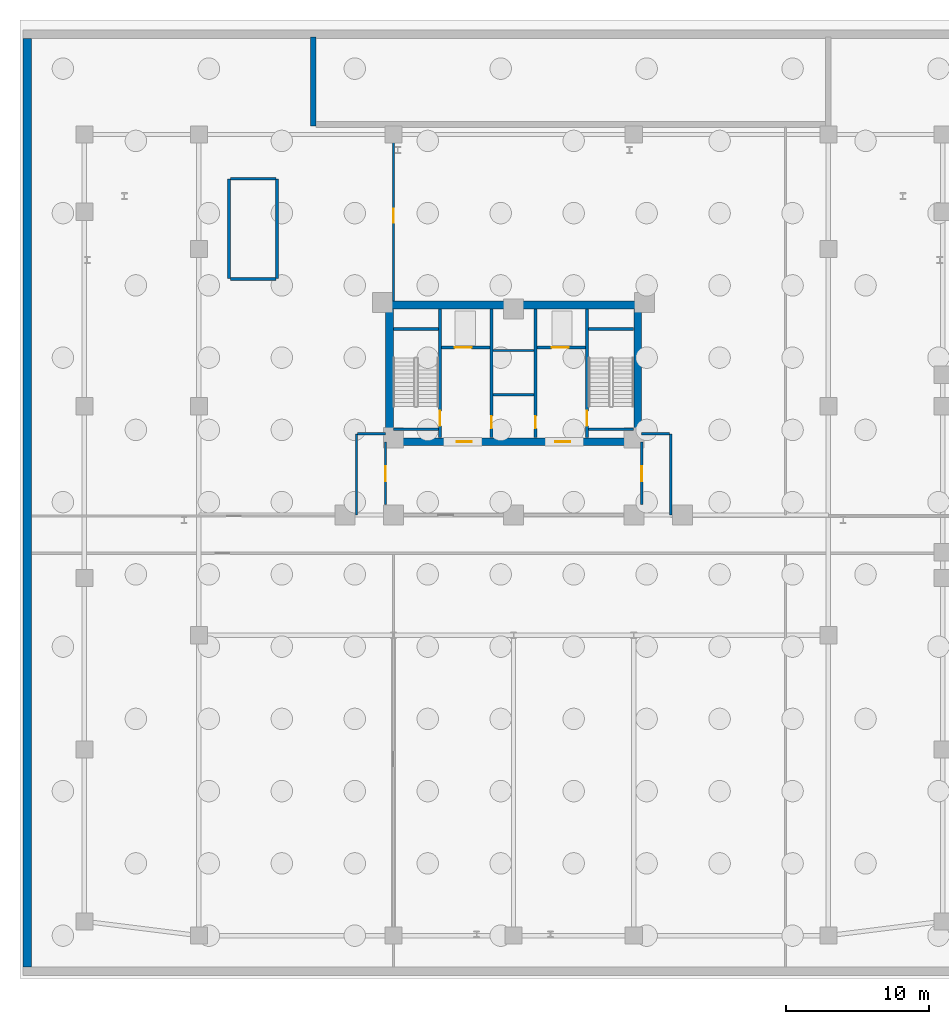
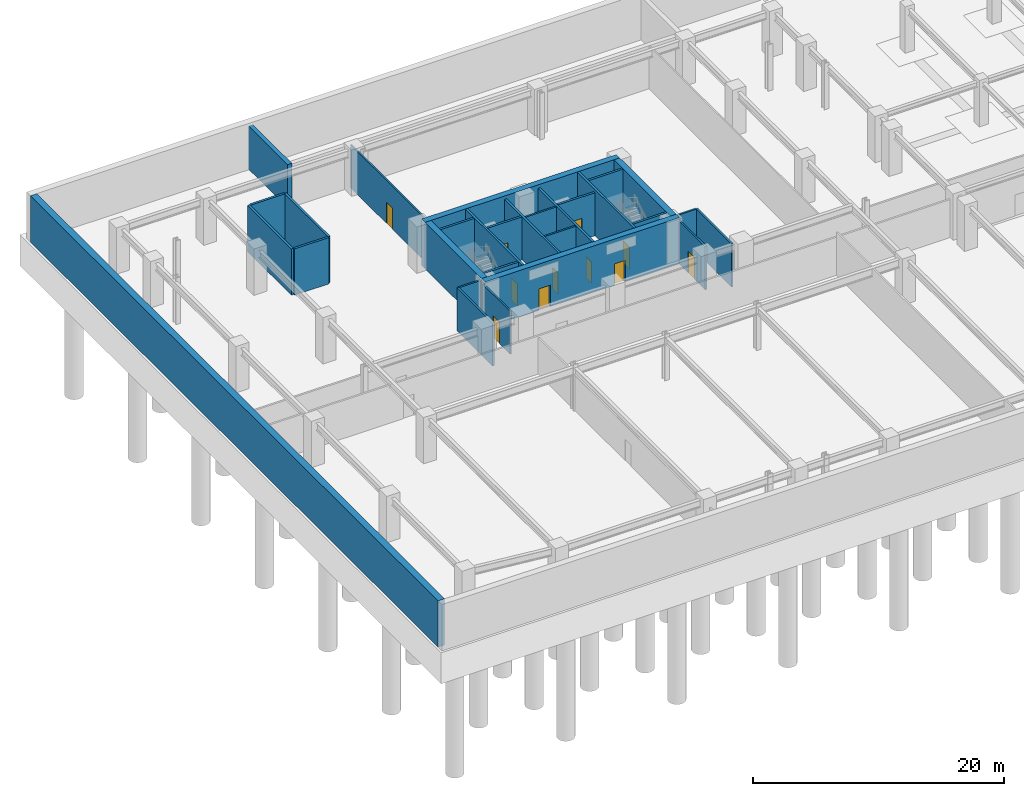
# One storey, part 9 of 15: 29 walls, 11 doors, 11 openings.
"""IFC4 building model written with IfcOpenShell, lengths in metres."""

from ifc_helpers import new_model, si_unit, derived_unit, direction, frame, frame_2d, origin, place, context, subcontext, project, spatial, rectangle, extrude, material, layer, layer_set, type_object, element, fill, save


model = new_model("IFC4")

# Units and contexts
model_context = context("Model", 3, precision=1e-05, world=origin(), true_north=direction((0.0, 1.0)))
body_context = subcontext(model_context, "Body", "Model", "MODEL_VIEW")
ifc_project = project(units=[si_unit("LENGTHUNIT", "METRE"), si_unit("AREAUNIT", "SQUARE_METRE"), si_unit("VOLUMEUNIT", "CUBIC_METRE"), si_unit("PLANEANGLEUNIT", "RADIAN"), si_unit("MASSUNIT", "GRAM", prefix="KILO"), derived_unit("THERMALTRANSMITTANCEUNIT", [(si_unit("POWERUNIT", "WATT"), 1), (si_unit("LENGTHUNIT", "METRE"), -2), (si_unit("THERMODYNAMICTEMPERATUREUNIT", "KELVIN"), -1)])], contexts=[model_context])

# Site, building, storey
site_placement = place(None, origin())
site = spatial("IfcSite", under=ifc_project, at=site_placement, CompositionType="ELEMENT")
building_placement = place(site_placement, origin())
building = spatial("IfcBuilding", under=site, at=building_placement, Name="Korsvarv Bourse and Concert Hall", CompositionType="ELEMENT")
storey_placement = place(building_placement, frame((0.0, 0.0, -9.0)))
storey = spatial("IfcBuildingStorey", under=building, at=storey_placement, Name="B02", CompositionType="ELEMENT", Elevation=-9.0)

# Walls
ifc_material_1 = material(Name="Concrete C50/60", Category="concrete")
ifc_layer_1 = layer(ifc_material_1, 0.3798828125)
ifc_layer_set_1 = layer_set([ifc_layer_1], Name="Concrete C50/60")
wall_type_1 = type_object("IfcWallType", Name="WL-CORE-380", PredefinedType="SHEAR", material=ifc_layer_set_1)
wall_1_placement = place(storey_placement, frame((16.10009765625, 48.919921875, 0.0), z_axis=(0.0, 0.0, 1.0), x_axis=(0.0, 1.0, 0.0)))
element("IfcWall", 1, at=wall_1_placement, inside=storey, type_object=wall_type_1, Name="B02 Podium Stair Substructure Wall W", PredefinedType="SHEAR", context=body_context, shape_type="SweptSolid", body=[
    extrude(rectangle(XDim=6.97998046875, YDim=0.199951171875, at=frame_2d((3.489990234375, 0.0))), origin(), (0.0, 0.0, 1.0), 4.5),
])
wall_2_placement = place(storey_placement, frame((16.219970703125, 55.89990234375, 0.0), z_axis=(0.0, 0.0, 1.0), x_axis=(1.0, 0.0, 0.0)))
element("IfcWall", 2, at=wall_2_placement, inside=storey, type_object=wall_type_1, Name="B02 Podium Stair Substructure Wall N", PredefinedType="SHEAR", context=body_context, shape_type="SweptSolid", body=[
    extrude(rectangle(XDim=3.159912109375, YDim=0.199951171875, at=frame_2d((1.580078125, 0.0))), origin(), (0.0, 0.0, 1.0), 4.5),
])
wall_3_placement = place(storey_placement, frame((19.4599609375, 48.919921875, 0.0), z_axis=(0.0, 0.0, 1.0), x_axis=(0.0, 1.0, 0.0)))
element("IfcWall", 3, at=wall_3_placement, inside=storey, type_object=wall_type_1, Name="B02 Podium Stair Substructure Wall E", PredefinedType="SHEAR", context=body_context, shape_type="SweptSolid", body=[
    extrude(rectangle(XDim=6.97998046875, YDim=0.199951171875, at=frame_2d((3.489990234375, 0.0))), origin(), (0.0, 0.0, 1.0), 4.5),
])
wall_4_placement = place(storey_placement, frame((16.219970703125, 48.89990234375, 0.0), z_axis=(0.0, 0.0, 1.0), x_axis=(1.0, 0.0, 0.0)))
element("IfcWall", 4, at=wall_4_placement, inside=storey, type_object=wall_type_1, Name="B02 Podium Stair Substructure Wall S", PredefinedType="SHEAR", context=body_context, shape_type="SweptSolid", body=[
    extrude(rectangle(XDim=3.159912109375, YDim=0.199951171875, at=frame_2d((1.580078125, 0.0))), origin(), (0.0, 0.0, 1.0), 4.5),
])

# Wall, opening, door
wall_5_placement = place(storey_placement, frame((30.860107421875, 37.81005859375, 0.0), z_axis=(0.0, 0.0, 1.0), x_axis=(0.0, 1.0, 0.0)))
wall_5 = element("IfcWall", 5, at=wall_5_placement, inside=storey, type_object=wall_type_1, Name="B02 stair shaft structural wall W-B02-ST1-E", PredefinedType="SHEAR", context=body_context, shape_type="SweptSolid", body=[
    extrude(rectangle(XDim=8.97998046875, YDim=0.199951171875, at=frame_2d((4.489990234375, 0.0))), origin(), (0.0, 0.0, 1.0), 4.5),
])
opening_1_placement = place(wall_5_placement, frame((0.820068359375, 0.0, 0.0)))
opening_1 = element("IfcOpeningElement", 6, at=opening_1_placement, cuts=wall_5, Name="Opening D-01", PredefinedType="OPENING", context=body_context, shape_type="SweptSolid", body=[
    extrude(rectangle(XDim=1.050048828125, YDim=2.10009765625, at=frame_2d((0.52490234375, 1.050048828125))), frame((0.0, 0.10986328125, 0.0), z_axis=(0.0, -1.0, 0.0), x_axis=(1.0, 0.0, 0.0)), (0.0, 0.0, 1.0), 0.219970703125),
])
ifc_material_2 = material(Name="Steel S355 fire door", Category="steel")
door_type_1 = type_object("IfcDoorType", Name="DR-FD60", OperationType="NOTDEFINED", PredefinedType="DOOR", material=ifc_material_2)
door_1_placement = place(opening_1_placement, origin())
door_1 = element("IfcDoor", 7, at=door_1_placement, inside=storey, type_object=door_type_1, Name="B02 interior door DR-B02-ST1", OperationType="SINGLE_SWING_LEFT", OverallHeight=2.10009765625, OverallWidth=1.050048828125, PredefinedType="DOOR", context=body_context, shape_type="SweptSolid", body=[
    extrude(rectangle(XDim=1.050048828125, YDim=2.10009765625, at=frame_2d((0.52490234375, 1.050048828125))), frame((0.0, 0.02490234375, 0.0), z_axis=(0.0, -1.0, 0.0), x_axis=(1.0, 0.0, 0.0)), (0.0, 0.0, 1.0), 0.050048828125),
])
fill(opening_1, door_1)

# Walls
for number, where, z_axis, x_axis, name in (
    (8, (27.610107421875, 45.39990234375, 0.0), (0.0, 0.0, 1.0), (1.0, 0.0, 0.0), "B02 stair shaft structural wall W-B02-ST1-N"),
    (9, (27.610107421875, 38.39990234375, 0.0), (0.0, 0.0, 1.0), (1.0, 0.0, 0.0), "B02 stair shaft structural wall W-B02-ST1-S"),
):
    element("IfcWall", number, at=place(storey_placement, frame(where, z_axis=z_axis, x_axis=x_axis)), inside=storey, type_object=wall_type_1, Name=name, PredefinedType="SHEAR", context=body_context, shape_type="SweptSolid", body=[
        extrude(rectangle(XDim=3.139892578125, YDim=0.199951171875, at=frame_2d((1.56982421875, 0.0))), origin(), (0.0, 0.0, 1.0), 4.5),
    ])

# Wall, opening, door
wall_6_placement = place(storey_placement, frame((41.139892578125, 37.81005859375, 0.0), z_axis=(0.0, 0.0, 1.0), x_axis=(0.0, 1.0, 0.0)))
wall_6 = element("IfcWall", 10, at=wall_6_placement, inside=storey, type_object=wall_type_1, Name="B02 stair shaft structural wall W-B02-ST2-W", PredefinedType="SHEAR", context=body_context, shape_type="SweptSolid", body=[
    extrude(rectangle(XDim=8.97998046875, YDim=0.199951171875, at=frame_2d((4.489990234375, 0.0))), origin(), (0.0, 0.0, 1.0), 4.5),
])
opening_2_placement = place(wall_6_placement, frame((0.820068359375, 0.0, 0.0)))
opening_2 = element("IfcOpeningElement", 11, at=opening_2_placement, cuts=wall_6, Name="Opening D-01", PredefinedType="OPENING", context=body_context, shape_type="SweptSolid", body=[
    extrude(rectangle(XDim=1.050048828125, YDim=2.10009765625, at=frame_2d((0.52490234375, 1.050048828125))), frame((0.0, 0.10986328125, 0.0), z_axis=(0.0, -1.0, 0.0), x_axis=(1.0, 0.0, 0.0)), (0.0, 0.0, 1.0), 0.219970703125),
])
door_2_placement = place(opening_2_placement, frame((1.050048828125, 0.0, 0.0), z_axis=(0.0, 0.0, 1.0), x_axis=(-1.0, 0.0, 0.0)))
door_2 = element("IfcDoor", 12, at=door_2_placement, inside=storey, type_object=door_type_1, Name="B02 interior door DR-B02-ST2", OperationType="SINGLE_SWING_RIGHT", OverallHeight=2.10009765625, OverallWidth=1.050048828125, PredefinedType="DOOR", context=body_context, shape_type="SweptSolid", body=[
    extrude(rectangle(XDim=1.050048828125, YDim=2.10009765625, at=frame_2d((0.52490234375, 1.050048828125))), frame((0.0, 0.02490234375, 0.0), z_axis=(0.0, -1.0, 0.0), x_axis=(1.0, 0.0, 0.0)), (0.0, 0.0, 1.0), 0.050048828125),
])
fill(opening_2, door_2)

# Walls
for number, where, z_axis, x_axis, name in (
    (13, (41.25, 45.39990234375, 0.0), (0.0, 0.0, 1.0), (1.0, 0.0, 0.0), "B02 stair shaft structural wall W-B02-ST2-N"),
    (14, (41.25, 38.39990234375, 0.0), (0.0, 0.0, 1.0), (1.0, 0.0, 0.0), "B02 stair shaft structural wall W-B02-ST2-S"),
):
    element("IfcWall", number, at=place(storey_placement, frame(where, z_axis=z_axis, x_axis=x_axis)), inside=storey, type_object=wall_type_1, Name=name, PredefinedType="SHEAR", context=body_context, shape_type="SweptSolid", body=[
        extrude(rectangle(XDim=3.139892578125, YDim=0.199951171875, at=frame_2d((1.56982421875, 0.0))), origin(), (0.0, 0.0, 1.0), 4.5),
    ])
ifc_material_3 = material(Name="Concrete C60/75", Category="concrete")
ifc_layer_2 = layer(ifc_material_3, 0.550048828125)
ifc_layer_set_2 = layer_set([ifc_layer_2], Name="Concrete C60/75")
wall_type_2 = type_object("IfcWallType", Name="WL-CORE-550", PredefinedType="SHEAR", material=ifc_layer_set_2)
wall_7_placement = place(storey_placement, frame((27.050048828125, 47.074951171875, 0.0), z_axis=(0.0, 0.0, 1.0), x_axis=(1.0, 0.0, 0.0)))
element("IfcWall", 15, at=wall_7_placement, inside=storey, type_object=wall_type_2, Name="B02 North Core Shear Wall", PredefinedType="SHEAR", context=body_context, shape_type="SweptSolid", body=[
    extrude(rectangle(XDim=17.89990234375, YDim=0.550048828125, at=frame_2d((8.949951171875, 0.0))), origin(), (0.0, 0.0, 1.0), 4.5),
])

# Wall, openings, doors
wall_8_placement = place(storey_placement, frame((27.050048828125, 37.52490234375, 0.0), z_axis=(0.0, 0.0, 1.0), x_axis=(1.0, 0.0, 0.0)))
wall_8 = element("IfcWall", 16, at=wall_8_placement, inside=storey, type_object=wall_type_2, Name="B02 South Core Shear Wall", PredefinedType="SHEAR", context=body_context, shape_type="SweptSolid", body=[
    extrude(rectangle(XDim=17.89990234375, YDim=0.550048828125, at=frame_2d((8.949951171875, 0.0))), origin(), (0.0, 0.0, 1.0), 4.5),
])
opening_3_placement = place(wall_8_placement, frame((4.97509765625, 0.0, 0.0)))
opening_3 = element("IfcOpeningElement", 17, at=opening_3_placement, cuts=wall_8, Name="Opening D-01", PredefinedType="OPENING", context=body_context, shape_type="SweptSolid", body=[
    extrude(rectangle(XDim=1.050048828125, YDim=2.10009765625, at=frame_2d((0.52490234375, 1.050048828125))), frame((0.0, 0.28515625, 0.0), z_axis=(0.0, -1.0, 0.0), x_axis=(1.0, 0.0, 0.0)), (0.0, 0.0, 1.0), 0.570068359375),
])
opening_4_placement = place(wall_8_placement, frame((11.875, 0.0, 0.0)))
opening_4 = element("IfcOpeningElement", 18, at=opening_4_placement, cuts=wall_8, Name="Opening D-01", PredefinedType="OPENING", context=body_context, shape_type="SweptSolid", body=[
    extrude(rectangle(XDim=1.050048828125, YDim=2.10009765625, at=frame_2d((0.52490234375, 1.050048828125))), frame((0.0, 0.28515625, 0.0), z_axis=(0.0, -1.0, 0.0), x_axis=(1.0, 0.0, 0.0)), (0.0, 0.0, 1.0), 0.570068359375),
])
door_3_placement = place(opening_3_placement, frame((1.050048828125, 0.0, 0.0), z_axis=(0.0, 0.0, 1.0), x_axis=(-1.0, 0.0, 0.0)))
door_3 = element("IfcDoor", 19, at=door_3_placement, inside=storey, type_object=door_type_1, Name="B02 firefighting lobby fire door DR-B02-FFLW", OperationType="SINGLE_SWING_LEFT", OverallHeight=2.10009765625, OverallWidth=1.050048828125, PredefinedType="DOOR", context=body_context, shape_type="SweptSolid", body=[
    extrude(rectangle(XDim=1.050048828125, YDim=2.10009765625, at=frame_2d((0.52490234375, 1.050048828125))), frame((0.0, 0.02490234375, 0.0), z_axis=(0.0, -1.0, 0.0), x_axis=(1.0, 0.0, 0.0)), (0.0, 0.0, 1.0), 0.050048828125),
])
fill(opening_3, door_3)
door_4_placement = place(opening_4_placement, frame((1.050048828125, 0.0, 0.0), z_axis=(0.0, 0.0, 1.0), x_axis=(-1.0, 0.0, 0.0)))
door_4 = element("IfcDoor", 20, at=door_4_placement, inside=storey, type_object=door_type_1, Name="B02 firefighting lobby fire door DR-B02-FFLE", OperationType="SINGLE_SWING_RIGHT", OverallHeight=2.10009765625, OverallWidth=1.050048828125, PredefinedType="DOOR", context=body_context, shape_type="SweptSolid", body=[
    extrude(rectangle(XDim=1.050048828125, YDim=2.10009765625, at=frame_2d((0.52490234375, 1.050048828125))), frame((0.0, 0.02490234375, 0.0), z_axis=(0.0, -1.0, 0.0), x_axis=(1.0, 0.0, 0.0)), (0.0, 0.0, 1.0), 0.050048828125),
])
fill(opening_4, door_4)

# Walls
for number, where, z_axis, x_axis, name in (
    (21, (27.324951171875, 37.800048828125, 0.0), (0.0, 0.0, 1.0), (0.0, 1.0, 0.0), "B02 West Core Shear Wall"),
    (22, (44.675048828125, 37.800048828125, 0.0), (0.0, 0.0, 1.0), (0.0, 1.0, 0.0), "B02 East Core Shear Wall"),
):
    element("IfcWall", number, at=place(storey_placement, frame(where, z_axis=z_axis, x_axis=x_axis)), inside=storey, type_object=wall_type_2, Name=name, PredefinedType="SHEAR", context=body_context, shape_type="SweptSolid", body=[
        extrude(rectangle(XDim=9.0, YDim=0.550048828125, at=frame_2d((4.5, 0.0))), origin(), (0.0, 0.0, 1.0), 4.5),
    ])
ifc_layer_3 = layer(ifc_material_1, 0.39990234375)
ifc_layer_set_3 = layer_set([ifc_layer_3], Name="Concrete C50/60")
wall_type_3 = type_object("IfcWallType", Name="WL-DRM-400", PredefinedType="SOLIDWALL", material=ifc_layer_set_3)
wall_9_placement = place(storey_placement, frame((22.0, 59.60009765625, 0.0), z_axis=(0.0, 0.0, 1.0), x_axis=(0.0, 1.0, 0.0)))
element("IfcWall", 23, at=wall_9_placement, inside=storey, type_object=wall_type_3, Name="B02 Vehicle Ramp Foot Bearing Wall", PredefinedType="SOLIDWALL", context=body_context, shape_type="SweptSolid", body=[
    extrude(rectangle(XDim=6.199951171875, YDim=0.39990234375, at=frame_2d((3.10009765625, 0.0))), origin(), (0.0, 0.0, 1.0), 4.179931640625),
])

# Wall, opening, door
ifc_material_4 = material(Name="Reinforced concrete blockwork C35/45 fire wall", Category="concrete")
ifc_layer_4 = layer(ifc_material_4, 0.199951171875)
ifc_layer_set_4 = layer_set([ifc_layer_4], Name="Reinforced concrete blockwork C35/45 fire wall")
wall_type_4 = type_object("IfcWallType", Name="WL-INT-EI120", PredefinedType="PARTITIONING", material=ifc_layer_set_4)
wall_10_placement = place(storey_placement, frame((30.969970703125, 44.10009765625, 0.0), z_axis=(0.0, 0.0, 1.0), x_axis=(1.0, 0.0, 0.0)))
wall_10 = element("IfcWall", 24, at=wall_10_placement, inside=storey, type_object=wall_type_4, Name="B02 interior partition wall W-B02-FF1-S", PredefinedType="PARTITIONING", context=body_context, shape_type="SweptSolid", body=[
    extrude(rectangle(XDim=3.380126953125, YDim=0.199951171875, at=frame_2d((1.68994140625, 0.0))), origin(), (0.0, 0.0, 1.0), 4.179931640625),
])
opening_5_placement = place(wall_10_placement, frame((0.89990234375, 0.0, 0.0)))
opening_5 = element("IfcOpeningElement", 25, at=opening_5_placement, cuts=wall_10, Name="Opening LD-1", PredefinedType="OPENING", context=body_context, shape_type="SweptSolid", body=[
    extrude(rectangle(XDim=1.199951171875, YDim=2.10009765625, at=frame_2d((0.60009765625, 1.050048828125))), frame((0.0, 0.10986328125, 0.0), z_axis=(0.0, -1.0, 0.0), x_axis=(1.0, 0.0, 0.0)), (0.0, 0.0, 1.0), 0.219970703125),
])
ifc_material_5 = material(Name="Stainless Steel S355 firefighting lift landing door", Category="steel")
door_type_2 = type_object("IfcDoorType", Name="DR-LIFT-FF", OperationType="DOUBLE_DOOR_SLIDING", PredefinedType="DOOR", material=ifc_material_5)
door_5_placement = place(opening_5_placement, origin())
door_5 = element("IfcDoor", 26, at=door_5_placement, inside=storey, type_object=door_type_2, Name="B02 lift sliding landing door LD-B02-FF1", OperationType="DOUBLE_DOOR_SLIDING", OverallHeight=2.10009765625, OverallWidth=1.199951171875, PredefinedType="DOOR", context=body_context, shape_type="SweptSolid", body=[
    extrude(rectangle(XDim=1.199951171875, YDim=2.10009765625, at=frame_2d((0.60009765625, 1.050048828125))), frame((0.0, 0.02490234375, 0.0), z_axis=(0.0, -1.0, 0.0), x_axis=(1.0, 0.0, 0.0)), (0.0, 0.0, 1.0), 0.050048828125),
])
fill(opening_5, door_5)

wall_11_placement = place(storey_placement, frame((37.64990234375, 44.10009765625, 0.0), z_axis=(0.0, 0.0, 1.0), x_axis=(1.0, 0.0, 0.0)))
wall_11 = element("IfcWall", 27, at=wall_11_placement, inside=storey, type_object=wall_type_4, Name="B02 interior partition wall W-B02-FF2-S", PredefinedType="PARTITIONING", context=body_context, shape_type="SweptSolid", body=[
    extrude(rectangle(XDim=3.380126953125, YDim=0.199951171875, at=frame_2d((1.68994140625, 0.0))), origin(), (0.0, 0.0, 1.0), 4.179931640625),
])
opening_6_placement = place(wall_11_placement, frame((1.0, 0.0, 0.0)))
opening_6 = element("IfcOpeningElement", 28, at=opening_6_placement, cuts=wall_11, Name="Opening LD-1", PredefinedType="OPENING", context=body_context, shape_type="SweptSolid", body=[
    extrude(rectangle(XDim=1.199951171875, YDim=2.10009765625, at=frame_2d((0.60009765625, 1.050048828125))), frame((0.0, 0.10986328125, 0.0), z_axis=(0.0, -1.0, 0.0), x_axis=(1.0, 0.0, 0.0)), (0.0, 0.0, 1.0), 0.219970703125),
])
door_6_placement = place(opening_6_placement, origin())
door_6 = element("IfcDoor", 29, at=door_6_placement, inside=storey, type_object=door_type_2, Name="B02 lift sliding landing door LD-B02-FF2", OperationType="DOUBLE_DOOR_SLIDING", OverallHeight=2.10009765625, OverallWidth=1.199951171875, PredefinedType="DOOR", context=body_context, shape_type="SweptSolid", body=[
    extrude(rectangle(XDim=1.199951171875, YDim=2.10009765625, at=frame_2d((0.60009765625, 1.050048828125))), frame((0.0, 0.02490234375, 0.0), z_axis=(0.0, -1.0, 0.0), x_axis=(1.0, 0.0, 0.0)), (0.0, 0.0, 1.0), 0.050048828125),
])
fill(opening_6, door_6)

wall_12_placement = place(storey_placement, frame((34.4599609375, 37.81005859375, 0.0), z_axis=(0.0, 0.0, 1.0), x_axis=(0.0, 1.0, 0.0)))
wall_12 = element("IfcWall", 30, at=wall_12_placement, inside=storey, type_object=wall_type_4, Name="B02 interior partition wall W-B02-CSB-W", PredefinedType="PARTITIONING", context=body_context, shape_type="SweptSolid", body=[
    extrude(rectangle(XDim=8.97998046875, YDim=0.199951171875, at=frame_2d((4.489990234375, 0.0))), origin(), (0.0, 0.0, 1.0), 4.179931640625),
])
opening_7_placement = place(wall_12_placement, frame((0.64990234375, 0.0, 0.0)))
opening_7 = element("IfcOpeningElement", 31, at=opening_7_placement, cuts=wall_12, Name="Opening D-05", PredefinedType="OPENING", context=body_context, shape_type="SweptSolid", body=[
    extrude(rectangle(XDim=0.85009765625, YDim=2.050048828125, at=frame_2d((0.425048828125, 1.02490234375))), frame((0.0, 0.10986328125, 0.0), z_axis=(0.0, -1.0, 0.0), x_axis=(1.0, 0.0, 0.0)), (0.0, 0.0, 1.0), 0.219970703125),
])
door_type_3 = type_object("IfcDoorType", Name="DR-FD60-850X2050", OperationType="NOTDEFINED", PredefinedType="DOOR", material=ifc_material_2)
door_7_placement = place(opening_7_placement, frame((0.85009765625, 0.0, 0.0), z_axis=(0.0, 0.0, 1.0), x_axis=(-1.0, 0.0, 0.0)))
door_7 = element("IfcDoor", 32, at=door_7_placement, inside=storey, type_object=door_type_3, Name="B02 interior door DR-B02-CSB1", OperationType="SINGLE_SWING_LEFT", OverallHeight=2.050048828125, OverallWidth=0.85009765625, PredefinedType="DOOR", context=body_context, shape_type="SweptSolid", body=[
    extrude(rectangle(XDim=0.85009765625, YDim=2.050048828125, at=frame_2d((0.425048828125, 1.02490234375))), frame((0.0, 0.02490234375, 0.0), z_axis=(0.0, -1.0, 0.0), x_axis=(1.0, 0.0, 0.0)), (0.0, 0.0, 1.0), 0.050048828125),
])
fill(opening_7, door_7)

wall_13_placement = place(storey_placement, frame((37.5400390625, 37.81005859375, 0.0), z_axis=(0.0, 0.0, 1.0), x_axis=(0.0, 1.0, 0.0)))
wall_13 = element("IfcWall", 33, at=wall_13_placement, inside=storey, type_object=wall_type_4, Name="B02 interior partition wall W-B02-CSB-E", PredefinedType="PARTITIONING", context=body_context, shape_type="SweptSolid", body=[
    extrude(rectangle(XDim=8.97998046875, YDim=0.199951171875, at=frame_2d((4.489990234375, 0.0))), origin(), (0.0, 0.0, 1.0), 4.179931640625),
])
opening_8_placement = place(wall_13_placement, frame((0.64990234375, 0.0, 0.0)))
opening_8 = element("IfcOpeningElement", 34, at=opening_8_placement, cuts=wall_13, Name="Opening D-05", PredefinedType="OPENING", context=body_context, shape_type="SweptSolid", body=[
    extrude(rectangle(XDim=0.85009765625, YDim=2.050048828125, at=frame_2d((0.425048828125, 1.02490234375))), frame((0.0, 0.10986328125, 0.0), z_axis=(0.0, -1.0, 0.0), x_axis=(1.0, 0.0, 0.0)), (0.0, 0.0, 1.0), 0.219970703125),
])
door_8_placement = place(opening_8_placement, origin())
door_8 = element("IfcDoor", 35, at=door_8_placement, inside=storey, type_object=door_type_3, Name="B02 interior door DR-B02-CSB2", OperationType="SINGLE_SWING_RIGHT", OverallHeight=2.050048828125, OverallWidth=0.85009765625, PredefinedType="DOOR", context=body_context, shape_type="SweptSolid", body=[
    extrude(rectangle(XDim=0.85009765625, YDim=2.050048828125, at=frame_2d((0.425048828125, 1.02490234375))), frame((0.0, 0.02490234375, 0.0), z_axis=(0.0, -1.0, 0.0), x_axis=(1.0, 0.0, 0.0)), (0.0, 0.0, 1.0), 0.050048828125),
])
fill(opening_8, door_8)

# Walls
ifc_material_6 = material(Name="Double-stud fire-rated acoustic partition", Category="gypsum")
ifc_layer_5 = layer(ifc_material_6, 0.159912109375)
ifc_layer_set_5 = layer_set([ifc_layer_5], Name="Double-stud fire-rated acoustic partition")
wall_type_5 = type_object("IfcWallType", Name="WL-INT-EI60", PredefinedType="PARTITIONING", material=ifc_layer_set_5)
for number, where, z_axis, x_axis, name in (
    (36, (34.570068359375, 40.800048828125, 0.0), (0.0, 0.0, 1.0), (1.0, 0.0, 0.0), "B02 interior partition wall W-B02-K1"),
    (37, (34.570068359375, 43.89990234375, 0.0), (0.0, 0.0, 1.0), (1.0, 0.0, 0.0), "B02 interior partition wall W-B02-K2"),
):
    element("IfcWall", number, at=place(storey_placement, frame(where, z_axis=z_axis, x_axis=x_axis)), inside=storey, type_object=wall_type_5, Name=name, PredefinedType="PARTITIONING", context=body_context, shape_type="SweptSolid", body=[
        extrude(rectangle(XDim=2.85986328125, YDim=0.159912109375, at=frame_2d((1.429931640625, 0.0))), origin(), (0.0, 0.0, 1.0), 4.179931640625),
    ])

# Wall, opening, door
wall_14_placement = place(storey_placement, frame((27.0400390625, 33.1201171875, 0.0), z_axis=(0.0, 0.0, 1.0), x_axis=(0.0, 1.0, 0.0)))
wall_14 = element("IfcWall", 38, at=wall_14_placement, inside=storey, type_object=wall_type_5, Name="B02 interior partition wall W-B02-CB-W", PredefinedType="PARTITIONING", context=body_context, shape_type="SweptSolid", body=[
    extrude(rectangle(XDim=4.3798828125, YDim=0.159912109375, at=frame_2d((2.18994140625, 0.0))), origin(), (0.0, 0.0, 1.0), 4.179931640625),
])
opening_9_placement = place(wall_14_placement, frame((1.64990234375, 0.0, 0.0)))
opening_9 = element("IfcOpeningElement", 39, at=opening_9_placement, cuts=wall_14, Name="Opening D-01", PredefinedType="OPENING", context=body_context, shape_type="SweptSolid", body=[
    extrude(rectangle(XDim=1.050048828125, YDim=2.10009765625, at=frame_2d((0.52490234375, 1.050048828125))), frame((0.0, 0.08984375, 0.0), z_axis=(0.0, -1.0, 0.0), x_axis=(1.0, 0.0, 0.0)), (0.0, 0.0, 1.0), 0.179931640625),
])
door_9_placement = place(opening_9_placement, frame((1.050048828125, 0.0, 0.0), z_axis=(0.0, 0.0, 1.0), x_axis=(-1.0, 0.0, 0.0)))
door_9 = element("IfcDoor", 40, at=door_9_placement, inside=storey, type_object=door_type_1, Name="B02 interior door DR-B02-CLOB-W", OperationType="SINGLE_SWING_RIGHT", OverallHeight=2.10009765625, OverallWidth=1.050048828125, PredefinedType="DOOR", context=body_context, shape_type="SweptSolid", body=[
    extrude(rectangle(XDim=1.050048828125, YDim=2.10009765625, at=frame_2d((0.52490234375, 1.050048828125))), frame((0.0, 0.02490234375, 0.0), z_axis=(0.0, -1.0, 0.0), x_axis=(1.0, 0.0, 0.0)), (0.0, 0.0, 1.0), 0.050048828125),
])
fill(opening_9, door_9)

wall_15_placement = place(storey_placement, frame((44.9599609375, 33.1201171875, 0.0), z_axis=(0.0, 0.0, 1.0), x_axis=(0.0, 1.0, 0.0)))
wall_15 = element("IfcWall", 41, at=wall_15_placement, inside=storey, type_object=wall_type_5, Name="B02 interior partition wall W-B02-CB-E", PredefinedType="PARTITIONING", context=body_context, shape_type="SweptSolid", body=[
    extrude(rectangle(XDim=4.3798828125, YDim=0.159912109375, at=frame_2d((2.18994140625, 0.0))), origin(), (0.0, 0.0, 1.0), 4.179931640625),
])
opening_10_placement = place(wall_15_placement, frame((1.64990234375, 0.0, 0.0)))
opening_10 = element("IfcOpeningElement", 42, at=opening_10_placement, cuts=wall_15, Name="Opening D-01", PredefinedType="OPENING", context=body_context, shape_type="SweptSolid", body=[
    extrude(rectangle(XDim=1.050048828125, YDim=2.10009765625, at=frame_2d((0.52490234375, 1.050048828125))), frame((0.0, 0.08984375, 0.0), z_axis=(0.0, -1.0, 0.0), x_axis=(1.0, 0.0, 0.0)), (0.0, 0.0, 1.0), 0.179931640625),
])
door_10_placement = place(opening_10_placement, origin())
door_10 = element("IfcDoor", 43, at=door_10_placement, inside=storey, type_object=door_type_1, Name="B02 interior door DR-B02-CLOB-E", OperationType="SINGLE_SWING_LEFT", OverallHeight=2.10009765625, OverallWidth=1.050048828125, PredefinedType="DOOR", context=body_context, shape_type="SweptSolid", body=[
    extrude(rectangle(XDim=1.050048828125, YDim=2.10009765625, at=frame_2d((0.52490234375, 1.050048828125))), frame((0.0, 0.02490234375, 0.0), z_axis=(0.0, -1.0, 0.0), x_axis=(1.0, 0.0, 0.0)), (0.0, 0.0, 1.0), 0.050048828125),
])
fill(opening_10, door_10)

# Walls
for number, where, z_axis, x_axis, name in (
    (44, (25.02490234375, 32.406982421875, 0.0), (0.0, 0.0, 1.0), (0.0, 1.0, 0.0), "B02 interior partition wall W-B02-BCOR-04"),
    (45, (46.97509765625, 32.406982421875, 0.0), (0.0, 0.0, 1.0), (0.0, 1.0, 0.0), "B02 interior partition wall W-B02-BCOR-05"),
):
    element("IfcWall", number, at=place(storey_placement, frame(where, z_axis=z_axis, x_axis=x_axis)), inside=storey, type_object=wall_type_5, Name=name, PredefinedType="PARTITIONING", context=body_context, shape_type="SweptSolid", body=[
        extrude(rectangle(XDim=5.673095703125, YDim=0.159912109375, at=frame_2d((2.83642578125, 0.0))), origin(), (0.0, 0.0, 1.0), 4.179931640625),
    ])
for number, where, z_axis, x_axis, name in (
    (46, (25.10693359375, 38.074951171875, 0.0), (0.0, 0.0, 1.0), (1.0, 0.0, 0.0), "B02 interior partition wall W-B02-BCOR-06"),
    (47, (44.951904296875, 38.074951171875, 0.0), (0.0, 0.0, 1.0), (1.0, 0.0, 0.0), "B02 interior partition wall W-B02-BCOR-07"),
):
    element("IfcWall", number, at=place(storey_placement, frame(where, z_axis=z_axis, x_axis=x_axis)), inside=storey, type_object=wall_type_5, Name=name, PredefinedType="PARTITIONING", context=body_context, shape_type="SweptSolid", body=[
        extrude(rectangle(XDim=1.941162109375, YDim=0.159912109375, at=frame_2d((0.970703125, 0.0))), origin(), (0.0, 0.0, 1.0), 4.179931640625),
    ])

# Wall, opening, door
ifc_material_7 = material(Name="Insulated steel-stud office acoustic partition", Category="gypsum")
ifc_layer_6 = layer(ifc_material_7, 0.139892578125)
ifc_layer_set_6 = layer_set([ifc_layer_6], Name="Insulated steel-stud office acoustic partition")
wall_type_6 = type_object("IfcWallType", Name="WL-INT-P1", PredefinedType="PARTITIONING", material=ifc_layer_set_6)
wall_16_placement = place(storey_placement, frame((27.60498046875, 47.35205078125, 0.0), z_axis=(0.0, 0.0, 1.0), x_axis=(0.0, 1.0, 0.0)))
wall_16 = element("IfcWall", 48, at=wall_16_placement, inside=storey, type_object=wall_type_6, Name="B02 interior partition wall W-B02-BCOR-11", PredefinedType="PARTITIONING", context=body_context, shape_type="SweptSolid", body=[
    extrude(rectangle(XDim=12.14599609375, YDim=0.139892578125, at=frame_2d((6.072998046875, 0.0))), origin(), (0.0, 0.0, 1.0), 4.179931640625),
])
opening_11_placement = place(wall_16_placement, frame((5.490234375, 0.0, 0.0)))
opening_11 = element("IfcOpeningElement", 49, at=opening_11_placement, cuts=wall_16, Name="Opening D-03", PredefinedType="OPENING", context=body_context, shape_type="SweptSolid", body=[
    extrude(rectangle(XDim=0.949951171875, YDim=2.050048828125, at=frame_2d((0.47509765625, 1.02490234375))), frame((0.0, 0.080078125, 0.0), z_axis=(0.0, -1.0, 0.0), x_axis=(1.0, 0.0, 0.0)), (0.0, 0.0, 1.0), 0.159912109375),
])
ifc_material_8 = material(Name="Nordic oak acoustic office door", Category="wood")
door_type_4 = type_object("IfcDoorType", Name="DR-INT-1", OperationType="NOTDEFINED", PredefinedType="DOOR", material=ifc_material_8)
door_11_placement = place(opening_11_placement, origin())
door_11 = element("IfcDoor", 50, at=door_11_placement, inside=storey, type_object=door_type_4, Name="B02 interior door DR-B02-BCOR-VLT12", OperationType="SINGLE_SWING_RIGHT", OverallHeight=2.050048828125, OverallWidth=0.949951171875, PredefinedType="DOOR", context=body_context, shape_type="SweptSolid", body=[
    extrude(rectangle(XDim=0.949951171875, YDim=2.050048828125, at=frame_2d((0.47509765625, 1.02490234375))), frame((0.0, 0.02490234375, 0.0), z_axis=(0.0, -1.0, 0.0), x_axis=(1.0, 0.0, 0.0)), (0.0, 0.0, 1.0), 0.050048828125),
])
fill(opening_11, door_11)

# Wall
ifc_layer_7 = layer(ifc_material_1, 0.60009765625)
ifc_layer_set_7 = layer_set([ifc_layer_7], Name="Concrete C50/60")
wall_type_7 = type_object("IfcWallType", Name="WL-RET-600", PredefinedType="SOLIDWALL", material=ifc_layer_set_7)
wall_17_placement = place(storey_placement, frame((2.0, 0.800048828125, 0.0), z_axis=(0.0, 0.0, 1.0), x_axis=(0.0, 1.0, 0.0)))
element("IfcWall", 51, at=wall_17_placement, inside=storey, type_object=wall_type_7, Name="B02 West Basement Retaining Wall", PredefinedType="SOLIDWALL", context=body_context, shape_type="SweptSolid", body=[
    extrude(rectangle(XDim=64.89990234375, YDim=0.60009765625, at=frame_2d((32.449951171875, 0.0))), origin(), (0.0, 0.0, 1.0), 4.5),
])

save(model, "model.ifc")
